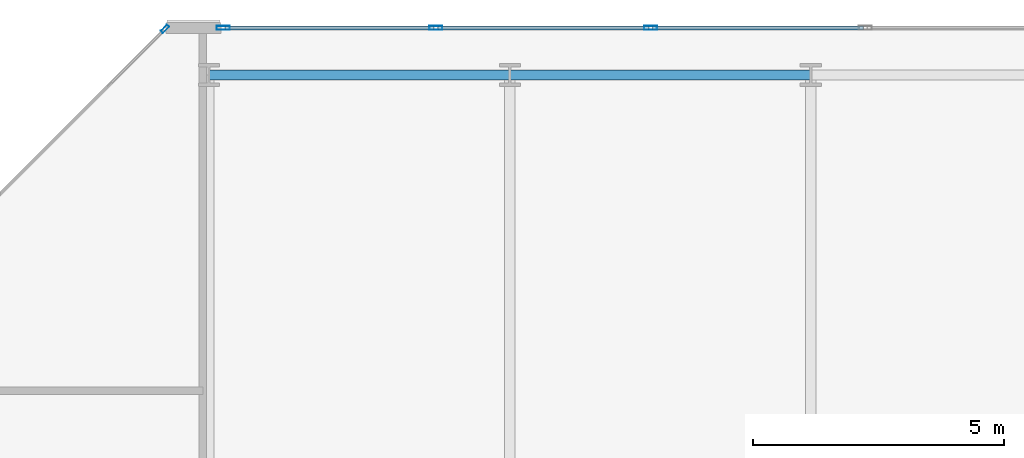
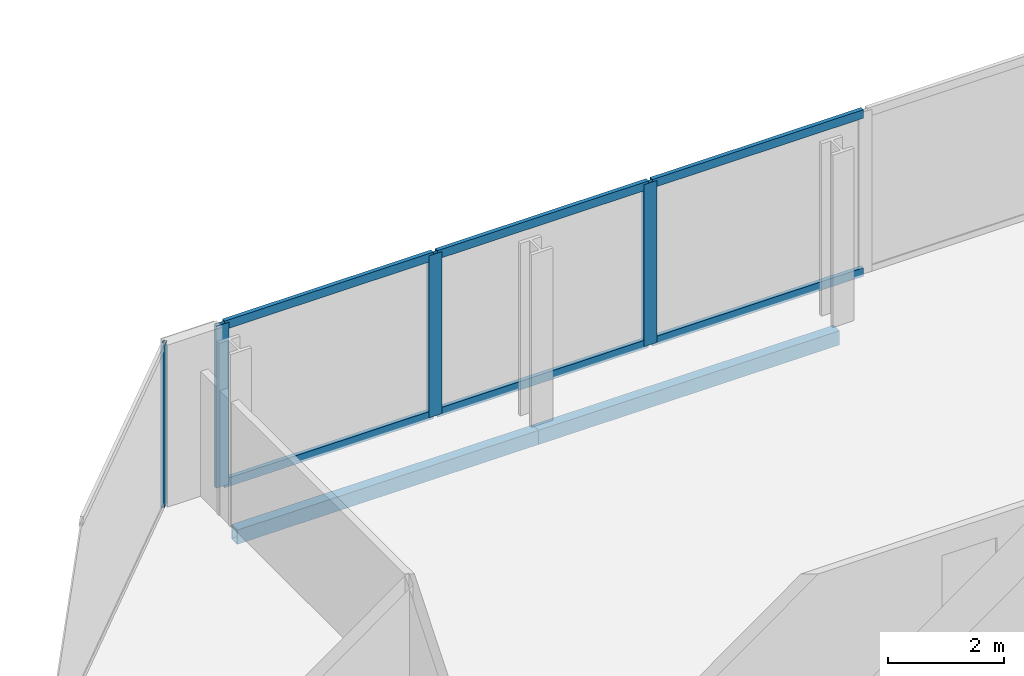
# One storey, part 10 of 17: 10 members, 2 beams, 2 elements without a shape of their own.
"""IFC4 building model written with IfcOpenShell, lengths in metres."""

from ifc_helpers import new_model, si_unit, direction, frame, origin, origin_2d, place, context, subcontext, project, spatial, hollow_rectangle, extrude, material, layer, layer_set, material_profile, profile_set, type_object, element, aggregate, save


model = new_model("IFC4")

# Units and contexts
model_context = context("Model", 3, precision=1e-05, world=origin(), true_north=direction((0.0, 1.0)))
body_context = subcontext(model_context, "Body", "Model", "MODEL_VIEW")
ifc_project = project(units=[si_unit("LENGTHUNIT", "METRE"), si_unit("AREAUNIT", "SQUARE_METRE"), si_unit("VOLUMEUNIT", "CUBIC_METRE"), si_unit("PLANEANGLEUNIT", "RADIAN"), si_unit("MASSUNIT", "GRAM", prefix="KILO")], contexts=[model_context])

# Site, building, storey
site_placement = place(None, origin())
site = spatial("IfcSite", under=ifc_project, at=site_placement, CompositionType="ELEMENT")
building_placement = place(site_placement, origin())
building = spatial("IfcBuilding", under=site, at=building_placement, Name="Tanjung Sevakor Pilgrim Tower", CompositionType="ELEMENT")
storey_placement = place(building_placement, frame((0.0, 0.0, 267.9599609375)))
storey = spatial("IfcBuildingStorey", under=building, at=storey_placement, Name="L75", CompositionType="ELEMENT", Elevation=267.9599609375)

# Beams
ifc_material_1 = material(Name="Steel S355J2", Category="steel")
ifc_material_profile_1 = material_profile(ifc_material_1, hollow_rectangle(XDim=0.199951171875, YDim=0.300048828125, WallThickness=0.012451171875, at=origin_2d()))
ifc_profile_set_1 = profile_set([ifc_material_profile_1], Name="Steel S355J2")
beam_type = type_object("IfcBeamType", Name="BM-B-SP3-RHS_300x200x12.5", PredefinedType="SPANDREL", material=ifc_profile_set_1)
for number, where, z_axis, x_axis, name in (
    (1, (72.0, 53.949951171875, -0.369873046875), (1.0, 0.0, 0.0), (0.0, 1.0, 0.0), "L75 Spandrel EAST N-02"),
    (2, (78.0, 53.949951171875, -0.369873046875), (1.0, 0.0, 0.0), (0.0, 1.0, 0.0), "L75 Spandrel EAST N-04"),
):
    element("IfcBeam", number, at=place(storey_placement, frame(where, z_axis=z_axis, x_axis=x_axis)), inside=storey, type_object=beam_type, Name=name, PredefinedType="SPANDREL", context=body_context, shape_type="SweptSolid", body=[
        extrude(hollow_rectangle(XDim=0.199951171875, YDim=0.300048828125, WallThickness=0.012451171875, at=origin_2d()), origin(), (0.0, 0.0, 1.0), 6.0),
    ])

# Curtain wall, member
ifc_material_2 = material(Name="Aluminium 6063-T6 and Low-E Glass", Category="aluminium")
ifc_layer_1 = layer(ifc_material_2, 0.179931640625)
ifc_layer_set_1 = layer_set([ifc_layer_1], Name="CW-SYS-CHAM")
curtain_wall_type_1 = type_object("IfcCurtainWallType", Name="CW-SYS-CHAM", PredefinedType="NOTDEFINED", material=ifc_layer_set_1)
curtain_wall_1_placement = place(storey_placement, origin())
curtain_wall_1 = element("IfcCurtainWall", 3, at=curtain_wall_1_placement, inside=storey, type_object=curtain_wall_type_1, Name="L75 Curtain Wall CW-CHM-L75-EAST-5", PredefinedType="NOTDEFINED")
ifc_material_3 = material(Name="Aluminium 6063-T6", Category="aluminium")
ifc_material_profile_2 = material_profile(ifc_material_3, hollow_rectangle(XDim=0.06494140625, YDim=0.179931640625, WallThickness=0.00390625, at=origin_2d()))
ifc_profile_set_2 = profile_set([ifc_material_profile_2], Name="Aluminium 6063-T6")
member_type_1 = type_object("IfcMemberType", Name="TYPE-CWM-1", PredefinedType="MULLION", material=ifc_profile_set_2)
member_1_placement = place(storey_placement, frame((71.12255859375, 54.866943359375, 0.0), z_axis=(0.0, 0.0, 1.0), x_axis=(0.707106781187, -0.707106781187, 0.0)))
member_1 = element("IfcMember", 4, at=member_1_placement, type_object=member_type_1, Name="CW-CHM mullion 1", PredefinedType="MULLION", context=body_context, shape_type="SweptSolid", body=[
    extrude(hollow_rectangle(XDim=0.06494140625, YDim=0.179931640625, WallThickness=0.00390625, at=origin_2d()), origin(), (0.0, 0.0, 1.0), 3.41015625),
])
aggregate(curtain_wall_1, [member_1])

# Curtain wall, members
ifc_material_4 = material(Name="Aluminium 6063-T6 and Low-E Glass", Category="aluminium")
ifc_layer_2 = layer(ifc_material_4, 0.219970703125)
ifc_layer_set_2 = layer_set([ifc_layer_2], Name="CW-SYS-CRNE")
curtain_wall_type_2 = type_object("IfcCurtainWallType", Name="CW-SYS-CRNE", PredefinedType="NOTDEFINED", material=ifc_layer_set_2)
curtain_wall_2_placement = place(storey_placement, origin())
curtain_wall_2 = element("IfcCurtainWall", 5, at=curtain_wall_2_placement, inside=storey, type_object=curtain_wall_type_2, Name="L75 Curtain Wall CW-CRN-L75-EAST-4-1", PredefinedType="NOTDEFINED")
ifc_material_5 = material(Name="Aluminium 6063-T6", Category="aluminium")
ifc_material_profile_3 = material_profile(ifc_material_5, hollow_rectangle(XDim=0.080078125, YDim=0.260009765625, WallThickness=0.0048828125, at=origin_2d()))
ifc_profile_set_3 = profile_set([ifc_material_profile_3], Name="Aluminium 6063-T6")
member_type_2 = type_object("IfcMemberType", Name="TYPE-CWM-3", PredefinedType="MULLION", material=ifc_profile_set_3)
member_2_placement = place(storey_placement, frame((80.80908203125, 54.889892578125, 0.0), z_axis=(0.0, 0.0, 1.0), x_axis=(0.0, -1.0, 0.0)))
member_2 = element("IfcMember", 6, at=member_2_placement, type_object=member_type_2, Name="CW-CRE mullion 4", PredefinedType="MULLION", context=body_context, shape_type="SweptSolid", body=[
    extrude(hollow_rectangle(XDim=0.080078125, YDim=0.260009765625, WallThickness=0.0048828125, at=origin_2d()), origin(), (0.0, 0.0, 1.0), 3.41015625),
])
member_3_placement = place(storey_placement, frame((76.52734375, 54.889892578125, 0.0), z_axis=(0.0, 0.0, 1.0), x_axis=(0.0, -1.0, 0.0)))
member_3 = element("IfcMember", 7, at=member_3_placement, type_object=member_type_2, Name="CW-CRE mullion 5", PredefinedType="MULLION", context=body_context, shape_type="SweptSolid", body=[
    extrude(hollow_rectangle(XDim=0.080078125, YDim=0.260009765625, WallThickness=0.0048828125, at=origin_2d()), origin(), (0.0, 0.0, 1.0), 3.41015625),
])
member_4_placement = place(storey_placement, frame((72.28564453125, 54.889892578125, 0.0), z_axis=(0.0, 0.0, 1.0), x_axis=(0.0, -1.0, 0.0)))
member_4 = element("IfcMember", 8, at=member_4_placement, type_object=member_type_2, Name="CW-CRE mullion 6", PredefinedType="MULLION", context=body_context, shape_type="SweptSolid", body=[
    extrude(hollow_rectangle(XDim=0.080078125, YDim=0.260009765625, WallThickness=0.0048828125, at=origin_2d()), origin(), (0.0, 0.0, 1.0), 3.41015625),
])
ifc_material_6 = material(Name="Aluminium 6063-T6", Category="aluminium")
ifc_material_profile_4 = material_profile(ifc_material_6, hollow_rectangle(XDim=0.080078125, YDim=0.179931640625, WallThickness=0.0048828125, at=origin_2d()))
ifc_profile_set_4 = profile_set([ifc_material_profile_4], Name="Aluminium 6063-T6")
member_type_3 = type_object("IfcMemberType", Name="TYPE-CWT-3", PredefinedType="USERDEFINED", material=ifc_profile_set_4)
member_5_placement = place(storey_placement, frame((85.05078125, 54.889892578125, 0.0400390625), z_axis=(-1.0, 0.0, 0.0), x_axis=(0.0, -1.0, 0.0)))
member_5 = element("IfcMember", 9, at=member_5_placement, type_object=member_type_3, Name="CW-CRE transom 3.1", ObjectType="TRANSOM", PredefinedType="USERDEFINED", context=body_context, shape_type="SweptSolid", body=[
    extrude(hollow_rectangle(XDim=0.080078125, YDim=0.179931640625, WallThickness=0.0048828125, at=origin_2d()), origin(), (0.0, 0.0, 1.0), 4.20166015625),
])
member_6_placement = place(storey_placement, frame((85.05078125, 54.889892578125, 3.3701171875), z_axis=(-1.0, 0.0, 0.0), x_axis=(0.0, -1.0, 0.0)))
member_6 = element("IfcMember", 10, at=member_6_placement, type_object=member_type_3, Name="CW-CRE transom 3.2", ObjectType="TRANSOM", PredefinedType="USERDEFINED", context=body_context, shape_type="SweptSolid", body=[
    extrude(hollow_rectangle(XDim=0.080078125, YDim=0.179931640625, WallThickness=0.0048828125, at=origin_2d()), origin(), (0.0, 0.0, 1.0), 4.20166015625),
])
member_7_placement = place(storey_placement, frame((80.76904296875, 54.889892578125, 0.0400390625), z_axis=(-1.0, 0.0, 0.0), x_axis=(0.0, -1.0, 0.0)))
member_7 = element("IfcMember", 11, at=member_7_placement, type_object=member_type_3, Name="CW-CRE transom 4.1", ObjectType="TRANSOM", PredefinedType="USERDEFINED", context=body_context, shape_type="SweptSolid", body=[
    extrude(hollow_rectangle(XDim=0.080078125, YDim=0.179931640625, WallThickness=0.0048828125, at=origin_2d()), origin(), (0.0, 0.0, 1.0), 4.20166015625),
])
member_8_placement = place(storey_placement, frame((80.76904296875, 54.889892578125, 3.3701171875), z_axis=(-1.0, 0.0, 0.0), x_axis=(0.0, -1.0, 0.0)))
member_8 = element("IfcMember", 12, at=member_8_placement, type_object=member_type_3, Name="CW-CRE transom 4.2", ObjectType="TRANSOM", PredefinedType="USERDEFINED", context=body_context, shape_type="SweptSolid", body=[
    extrude(hollow_rectangle(XDim=0.080078125, YDim=0.179931640625, WallThickness=0.0048828125, at=origin_2d()), origin(), (0.0, 0.0, 1.0), 4.20166015625),
])
member_9_placement = place(storey_placement, frame((76.4873046875, 54.889892578125, 0.0400390625), z_axis=(-1.0, 0.0, 0.0), x_axis=(0.0, -1.0, 0.0)))
member_9 = element("IfcMember", 13, at=member_9_placement, type_object=member_type_3, Name="CW-CRE transom 5.1", ObjectType="TRANSOM", PredefinedType="USERDEFINED", context=body_context, shape_type="SweptSolid", body=[
    extrude(hollow_rectangle(XDim=0.080078125, YDim=0.179931640625, WallThickness=0.0048828125, at=origin_2d()), origin(), (0.0, 0.0, 1.0), 4.16162109375),
])
member_10_placement = place(storey_placement, frame((76.4873046875, 54.889892578125, 3.3701171875), z_axis=(-1.0, 0.0, 0.0), x_axis=(0.0, -1.0, 0.0)))
member_10 = element("IfcMember", 14, at=member_10_placement, type_object=member_type_3, Name="CW-CRE transom 5.2", ObjectType="TRANSOM", PredefinedType="USERDEFINED", context=body_context, shape_type="SweptSolid", body=[
    extrude(hollow_rectangle(XDim=0.080078125, YDim=0.179931640625, WallThickness=0.0048828125, at=origin_2d()), origin(), (0.0, 0.0, 1.0), 4.16162109375),
])
aggregate(curtain_wall_2, [member_2, member_3, member_4, member_5, member_6, member_7, member_8, member_9, member_10])

save(model, "model.ifc")
